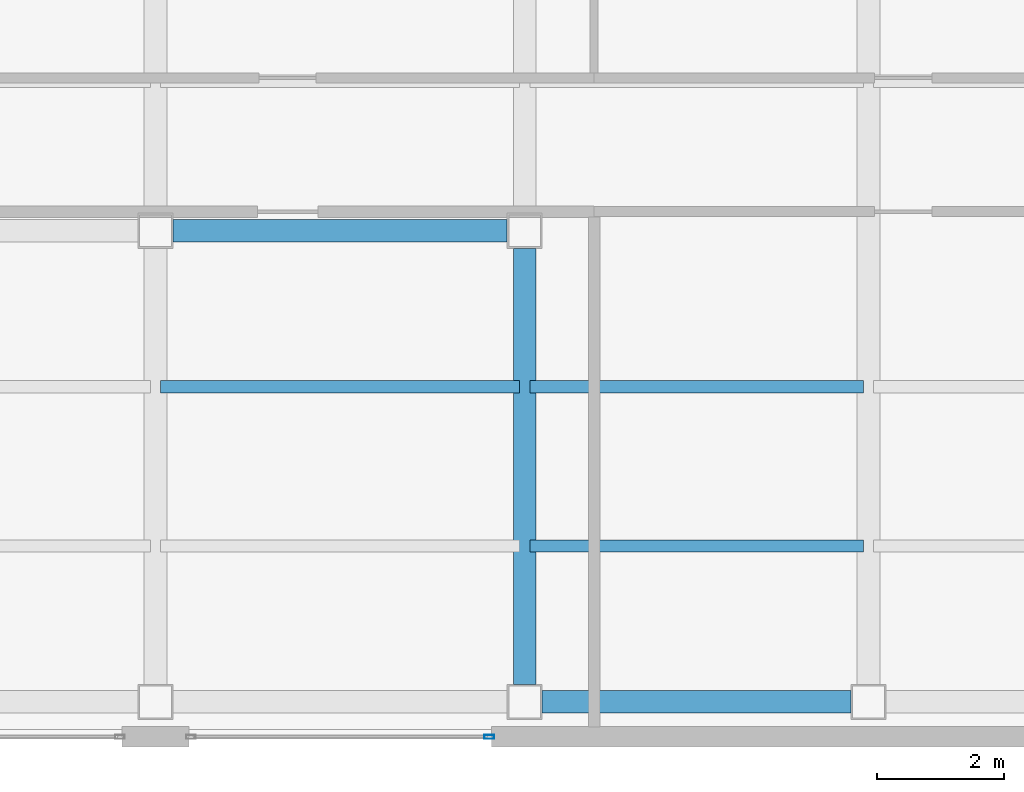
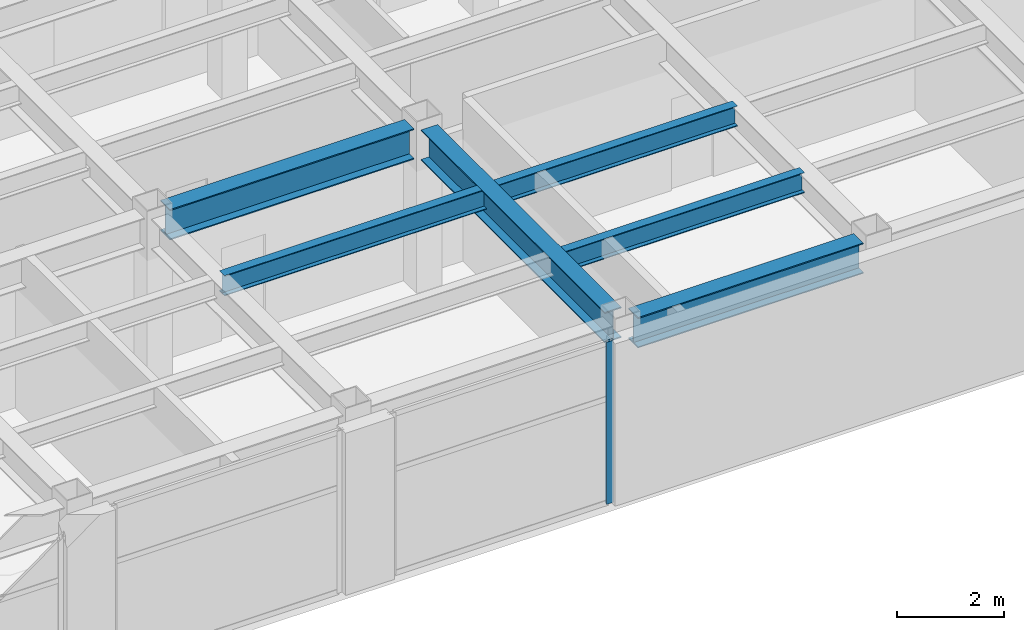
# One storey, part 7 of 16: 6 beams, 1 member, 1 element without a shape of its own.
"""IFC4 building model written with IfcOpenShell, lengths in metres."""

import ifcopenshell
import ifcopenshell.guid

model = None  # the IFC model being written
_history = None  # IfcOwnerHistory: only IFC2X3 demands one
_inside = {}  # id of a spatial element -> (the spatial element, [elements in it])
_under = {}  # id of a project, library or spatial element -> (it, [spatial elements below it])
_declared = {}  # id of a project -> (the project, [libraries it declares])
_typed = {}  # id of a type object -> (the type object, [elements of that type])
_made_of = {}  # id of a material, layer set ... -> (it, [elements and type objects made of it])


def new_model(schema):
    """Start an empty IFC model of exactly this schema.

    Asked for "IFC4X3", IfcOpenShell would pick the latest addendum, in which some entities
    have other attributes; the version numbers below select the first issue.
    IFC2X3 requires an IfcOwnerHistory on every rooted entity: one is made here for all.
    """
    global model, _history
    if schema == "IFC4X3":
        model = ifcopenshell.file(schema_version=(4, 3, 0, 0))
    else:
        model = ifcopenshell.file(schema=schema)
    _inside.clear()
    _under.clear()
    _declared.clear()
    _typed.clear()
    _made_of.clear()
    _history = None
    if model.schema == "IFC2X3":
        org = make("IfcOrganization", Name="unknown")
        user = make(
            "IfcPersonAndOrganization",
            ThePerson=make("IfcPerson", FamilyName="unknown"),
            TheOrganization=org,
        )
        app = make(
            "IfcApplication",
            ApplicationDeveloper=org,
            Version="unknown",
            ApplicationFullName="unknown",
            ApplicationIdentifier="unknown",
        )
        _history = make(
            "IfcOwnerHistory",
            OwningUser=user,
            OwningApplication=app,
            ChangeAction="ADDED",
            CreationDate=0,
        )
    return model


def make(cls, **values):
    """One entity of the class cls with the attributes given. An attribute that is None is left unset."""
    return model.create_entity(
        cls, **{name: value for name, value in values.items() if value is not None}
    )


def rooted(cls, **values):
    """An entity with a GlobalId (a new one), such as an element, a storey or a relation."""
    return make(cls, GlobalId=ifcopenshell.guid.new(), OwnerHistory=_history, **values)


def si_unit(unit_type, name, prefix=None):
    """IfcSIUnit, for example si_unit("LENGTHUNIT", "METRE", prefix="MILLI")."""
    return make("IfcSIUnit", UnitType=unit_type, Prefix=prefix, Name=name)


def assignment(units):
    """IfcUnitAssignment: the units of a project."""
    return None if units is None else make("IfcUnitAssignment", Units=units)


def point(xyz):
    """IfcCartesianPoint."""
    return None if xyz is None else make("IfcCartesianPoint", Coordinates=xyz)


def direction(xyz):
    """IfcDirection."""
    return None if xyz is None else make("IfcDirection", DirectionRatios=xyz)


def frame(location, z_axis=None, x_axis=None):
    """IfcAxis2Placement3D, a coordinate frame: its origin and axes. An axis left out is left unset."""
    return make(
        "IfcAxis2Placement3D",
        Location=point(location),
        Axis=direction(z_axis),
        RefDirection=direction(x_axis),
    )


def frame_2d(location, x_axis=None):
    """IfcAxis2Placement2D, a coordinate frame in the plane: its origin and x axis."""
    return make(
        "IfcAxis2Placement2D", Location=point(location), RefDirection=direction(x_axis)
    )


def origin():
    """The frame at (0, 0, 0) with its axes left unset."""
    return frame((0.0, 0.0, 0.0))


def origin_2d():
    """The frame at (0, 0) in the plane with its x axis left unset."""
    return frame_2d((0.0, 0.0))


def place(relative_to, where):
    """IfcLocalPlacement: puts the frame where relative to a parent placement (None: the world)."""
    return make(
        "IfcLocalPlacement", PlacementRelTo=relative_to, RelativePlacement=where
    )


def context(
    kind, dimensions, precision=None, world=None, true_north=None, identifier=None
):
    """IfcGeometricRepresentationContext, for example the 3D "Model" context."""
    return make(
        "IfcGeometricRepresentationContext",
        ContextIdentifier=identifier,
        ContextType=kind,
        CoordinateSpaceDimension=dimensions,
        Precision=precision,
        WorldCoordinateSystem=world,
        TrueNorth=true_north,
    )


def subcontext(parent, identifier, kind, view, scale=None):
    """IfcGeometricRepresentationSubContext, for example "Body" below "Model"."""
    return make(
        "IfcGeometricRepresentationSubContext",
        ContextIdentifier=identifier,
        ContextType=kind,
        ParentContext=parent,
        TargetScale=scale,
        TargetView=view,
    )


def project(units=None, contexts=None):
    """IfcProject with its units and contexts."""
    return rooted(
        "IfcProject",
        Name="project",
        RepresentationContexts=contexts,
        UnitsInContext=assignment(units),
    )


def spatial(cls, under=None, at=None, **own):
    """A site, building, storey or space (cls), placed at a placement, below another one or the project."""
    s = rooted(cls, ObjectPlacement=at, **own)
    if under is not None:
        _under.setdefault(under.id(), (under, []))[1].append(s)
    return s


def profile(cls, at=None, kind="AREA", **sizes):
    """A parametric profile (cls). Its sizes go by their IFC names, for example OverallWidth=200.0."""
    return make(cls, ProfileType=kind, Position=at, **sizes)


def hollow_rectangle(**sizes):
    """IfcRectangleHollowProfileDef."""
    return profile("IfcRectangleHollowProfileDef", **sizes)


def i_section(**sizes):
    """IfcIShapeProfileDef."""
    return profile("IfcIShapeProfileDef", **sizes)


def extrude(swept, where, along, depth):
    """IfcExtrudedAreaSolid: the profile swept, set in the frame where, extruded along a direction by depth."""
    return make(
        "IfcExtrudedAreaSolid",
        SweptArea=swept,
        Position=where,
        ExtrudedDirection=direction(along),
        Depth=depth,
    )


def shape(context_of_items, identifier, shape_type, items):
    """IfcShapeRepresentation: the items that make up one representation, for example the "Body"."""
    return make(
        "IfcShapeRepresentation",
        ContextOfItems=context_of_items,
        RepresentationIdentifier=identifier,
        RepresentationType=shape_type,
        Items=items,
    )


def material(Name=None, Category=None):
    """IfcMaterial."""
    return make("IfcMaterial", Name=Name, Category=Category)


def layer(
    of_material, thickness, ventilated=None, Name=None, Category=None, Priority=None
):
    """IfcMaterialLayer: one layer of a wall or slab, of a material (None: an air gap)."""
    return make(
        "IfcMaterialLayer",
        Material=of_material,
        LayerThickness=thickness,
        IsVentilated=ventilated,
        Name=Name,
        Category=Category,
        Priority=Priority,
    )


def layer_set(layers, Name=None):
    """IfcMaterialLayerSet."""
    return make("IfcMaterialLayerSet", MaterialLayers=layers, LayerSetName=Name)


def material_profile(
    of_material, cross_section, Name=None, Category=None, Priority=None
):
    """IfcMaterialProfile: a cross section and its material."""
    return make(
        "IfcMaterialProfile",
        Name=Name,
        Material=of_material,
        Profile=cross_section,
        Priority=Priority,
        Category=Category,
    )


def profile_set(profiles, Name=None, composite=None):
    """IfcMaterialProfileSet."""
    return make(
        "IfcMaterialProfileSet",
        Name=Name,
        MaterialProfiles=profiles,
        CompositeProfile=composite,
    )


def made_of(thing, what):
    """Note that an element or type object is made of a material, layer set ...; save() writes the relation."""
    if what is not None:
        _made_of.setdefault(what.id(), (what, []))[1].append(thing)
    return thing


def type_object(cls, material=None, **own):
    """A type object (cls), such as IfcWallType, which elements share."""
    return made_of(rooted(cls, **own), material)


def element(
    cls,
    number,
    at=None,
    inside=None,
    cuts=None,
    type_object=None,
    material=None,
    context=None,
    identifier="Body",
    shape_type=None,
    held_by="IfcProductDefinitionShape",
    body=None,
    shapes=None,
    **own,
):
    """One element of the class cls, such as IfcWall. Its Tag is "e" and its number.

    at: its placement. inside: the storey or other place that contains it. cuts: it is an
    opening in that element (IfcRelVoidsElement). A single representation is given by context,
    identifier, shape_type and body (its items); several are given by shapes. held_by: the class
    of the entity that holds the representations. save() writes the other relations.
    """
    e = rooted(cls, Tag="e%d" % number, ObjectPlacement=at, **own)
    if body is not None:
        shapes = [shape(context, identifier, shape_type, body)]
    if shapes is not None:
        e.Representation = make(held_by, Representations=shapes)
    if inside is not None:
        _inside.setdefault(inside.id(), (inside, []))[1].append(e)
    if cuts is not None:
        rooted(
            "IfcRelVoidsElement", RelatingBuildingElement=cuts, RelatedOpeningElement=e
        )
    if type_object is not None:
        _typed.setdefault(type_object.id(), (type_object, []))[1].append(e)
    return made_of(e, material)


def aggregate(whole, parts):
    """IfcRelAggregates: a whole, such as a stair, and the parts it consists of."""
    return rooted("IfcRelAggregates", RelatingObject=whole, RelatedObjects=parts)


def save(model, path):
    """Write the relations noted so far, then the file.

    IfcRelAggregates (storeys below a building ...), IfcRelContainedInSpatialStructure (elements
    in a storey), IfcRelDefinesByType, IfcRelAssociatesMaterial and IfcRelDeclares: one each for
    every whole, place, type object, material and project.
    """
    for whole, parts in _under.values():
        aggregate(whole, parts)
    for where, things in _inside.values():
        rooted(
            "IfcRelContainedInSpatialStructure",
            RelatedElements=things,
            RelatingStructure=where,
        )
    for kind, things in _typed.values():
        rooted("IfcRelDefinesByType", RelatedObjects=things, RelatingType=kind)
    for what, things in _made_of.values():
        rooted("IfcRelAssociatesMaterial", RelatedObjects=things, RelatingMaterial=what)
    for by, libraries in _declared.values():
        rooted("IfcRelDeclares", RelatingContext=by, RelatedDefinitions=libraries)
    model.write(path)


model = new_model("IFC4")

# Units and contexts
model_context = context("Model", 3, precision=1e-05, world=origin(), true_north=direction((0.0, 1.0)))
body_context = subcontext(model_context, "Body", "Model", "MODEL_VIEW")
ifc_project = project(units=[si_unit("LENGTHUNIT", "METRE"), si_unit("AREAUNIT", "SQUARE_METRE"), si_unit("VOLUMEUNIT", "CUBIC_METRE"), si_unit("PLANEANGLEUNIT", "RADIAN"), si_unit("MASSUNIT", "GRAM", prefix="KILO")], contexts=[model_context])

# Site, building, storey
site_placement = place(None, origin())
site = spatial("IfcSite", under=ifc_project, at=site_placement, CompositionType="ELEMENT")
building_placement = place(site_placement, origin())
building = spatial("IfcBuilding", under=site, at=building_placement, Name="Mawjaban Terraces University", CompositionType="ELEMENT")
storey_placement = place(building_placement, frame((0.0, 0.0, 54.39990234375)))
storey = spatial("IfcBuildingStorey", under=building, at=storey_placement, Name="L12", CompositionType="ELEMENT", Elevation=54.39990234375)

# Beams
ifc_material_1 = material(Name="Steel ASTM A572 Grade 50", Category="steel")
ifc_material_profile_1 = material_profile(ifc_material_1, i_section(OverallWidth=0.35498046875, OverallDepth=0.695068359375, WebThickness=0.015380859375, FlangeThickness=0.02490234375, at=origin_2d()), Name="W690X217")
ifc_profile_set_1 = profile_set([ifc_material_profile_1], Name="Steel ASTM A572 Grade 50")
beam_type_1 = type_object("IfcBeamType", Name="Beam_B_W690X217", PredefinedType="BEAM", material=ifc_profile_set_1)
beam_1_placement = place(storey_placement, frame((58.074951171875, 0.550048828125, 3.343017578125), z_axis=(1.0, 0.0, 0.0), x_axis=(0.0, 1.0, 0.0)))
element("IfcBeam", 1, at=beam_1_placement, inside=storey, type_object=beam_type_1, Name="L12 Beam BM-L12-EW-04", PredefinedType="BEAM", context=body_context, shape_type="SweptSolid", body=[
    extrude(i_section(OverallWidth=0.35498046875, OverallDepth=0.695068359375, WebThickness=0.015380859375, FlangeThickness=0.02490234375, at=origin_2d()), origin(), (0.0, 0.0, 1.0), 4.85009765625),
])
beam_2_placement = place(storey_placement, frame((52.27490234375, 7.949951171875, 3.343017578125), z_axis=(1.0, 0.0, 0.0), x_axis=(0.0, 1.0, 0.0)))
element("IfcBeam", 2, at=beam_2_placement, inside=storey, type_object=beam_type_1, Name="L12 Beam BM-L12-EW-08", PredefinedType="BEAM", context=body_context, shape_type="SweptSolid", body=[
    extrude(i_section(OverallWidth=0.35498046875, OverallDepth=0.695068359375, WebThickness=0.015380859375, FlangeThickness=0.02490234375, at=origin_2d()), origin(), (0.0, 0.0, 1.0), 5.25),
])
beam_3_placement = place(storey_placement, frame((57.800048828125, 0.824951171875, 3.343017578125), z_axis=(0.0, 1.0, 0.0), x_axis=(-1.0, 0.0, 0.0)))
element("IfcBeam", 3, at=beam_3_placement, inside=storey, type_object=beam_type_1, Name="L12 Beam BM-L12-NS-18", PredefinedType="BEAM", context=body_context, shape_type="SweptSolid", body=[
    extrude(i_section(OverallWidth=0.35498046875, OverallDepth=0.695068359375, WebThickness=0.015380859375, FlangeThickness=0.02490234375, at=origin_2d()), origin(), (0.0, 0.0, 1.0), 6.85009765625),
])
ifc_material_profile_2 = material_profile(ifc_material_1, i_section(OverallWidth=0.19189453125, OverallDepth=0.462890625, WebThickness=0.010498046875, FlangeThickness=0.017578125, at=origin_2d()), Name="W460X89")
ifc_profile_set_2 = profile_set([ifc_material_profile_2], Name="Steel ASTM A572 Grade 50")
beam_type_2 = type_object("IfcBeamType", Name="Beam_J_W460X89", PredefinedType="JOIST", material=ifc_profile_set_2)
beam_4_placement = place(storey_placement, frame((57.8798828125, 3.0, 3.458984375), z_axis=(1.0, 0.0, 0.0), x_axis=(0.0, 1.0, 0.0)))
element("IfcBeam", 4, at=beam_4_placement, inside=storey, type_object=beam_type_2, Name="L12 Composite Joist JST-L12-04", PredefinedType="JOIST", context=body_context, shape_type="SweptSolid", body=[
    extrude(i_section(OverallWidth=0.19189453125, OverallDepth=0.462890625, WebThickness=0.010498046875, FlangeThickness=0.017578125, at=origin_2d()), origin(), (0.0, 0.0, 1.0), 5.240234375),
])
beam_5_placement = place(storey_placement, frame((52.080078125, 5.5, 3.458984375), z_axis=(1.0, 0.0, 0.0), x_axis=(0.0, 1.0, 0.0)))
element("IfcBeam", 5, at=beam_5_placement, inside=storey, type_object=beam_type_2, Name="L12 Composite Joist JST-L12-08", PredefinedType="JOIST", context=body_context, shape_type="SweptSolid", body=[
    extrude(i_section(OverallWidth=0.19189453125, OverallDepth=0.462890625, WebThickness=0.010498046875, FlangeThickness=0.017578125, at=origin_2d()), origin(), (0.0, 0.0, 1.0), 5.639892578125),
])
beam_6_placement = place(storey_placement, frame((57.8798828125, 5.5, 3.458984375), z_axis=(1.0, 0.0, 0.0), x_axis=(0.0, 1.0, 0.0)))
element("IfcBeam", 6, at=beam_6_placement, inside=storey, type_object=beam_type_2, Name="L12 Composite Joist JST-L12-09", PredefinedType="JOIST", context=body_context, shape_type="SweptSolid", body=[
    extrude(i_section(OverallWidth=0.19189453125, OverallDepth=0.462890625, WebThickness=0.010498046875, FlangeThickness=0.017578125, at=origin_2d()), origin(), (0.0, 0.0, 1.0), 5.240234375),
])

# Curtain wall, member
ifc_material_2 = material(Name="Anodised aluminium 6063-T6 and solar-control low-E glass", Category="aluminium")
ifc_layer = layer(ifc_material_2, 0.1650390625)
ifc_layer_set = layer_set([ifc_layer], Name="Anodised aluminium 6063-T6 and solar-control low-E glass")
curtain_wall_type = type_object("IfcCurtainWallType", Name="CWSystem_04_EastWing", PredefinedType="NOTDEFINED", material=ifc_layer_set)
curtain_wall_placement = place(storey_placement, origin())
curtain_wall = element("IfcCurtainWall", 7, at=curtain_wall_placement, inside=storey, type_object=curtain_wall_type, Name="L12 Curtain Wall CW-04 Run 1.4", PredefinedType="NOTDEFINED")
ifc_material_3 = material(Name="Anodised aluminium 6063-T6", Category="aluminium")
ifc_material_profile_3 = material_profile(ifc_material_3, hollow_rectangle(XDim=0.06005859375, YDim=0.14990234375, WallThickness=0.00390625, at=origin_2d()), Name="ALU150X60X4")
ifc_profile_set_3 = profile_set([ifc_material_profile_3], Name="Anodised aluminium 6063-T6")
member_type = type_object("IfcMemberType", Name="Mullion_CW-04", PredefinedType="MULLION", material=ifc_profile_set_3)
member_placement = place(storey_placement, frame((57.242431640625, 0.0, 0.0), z_axis=(0.0, 0.0, 1.0), x_axis=(0.0, 1.0, 0.0)))
member = element("IfcMember", 8, at=member_placement, type_object=member_type, Name="CW-04 mullion 2", PredefinedType="MULLION", context=body_context, shape_type="SweptSolid", body=[
    extrude(hollow_rectangle(XDim=0.06005859375, YDim=0.14990234375, WallThickness=0.00390625, at=origin_2d()), origin(), (0.0, 0.0, 1.0), 3.690185546875),
])
aggregate(curtain_wall, [member])

save(model, "model.ifc")
